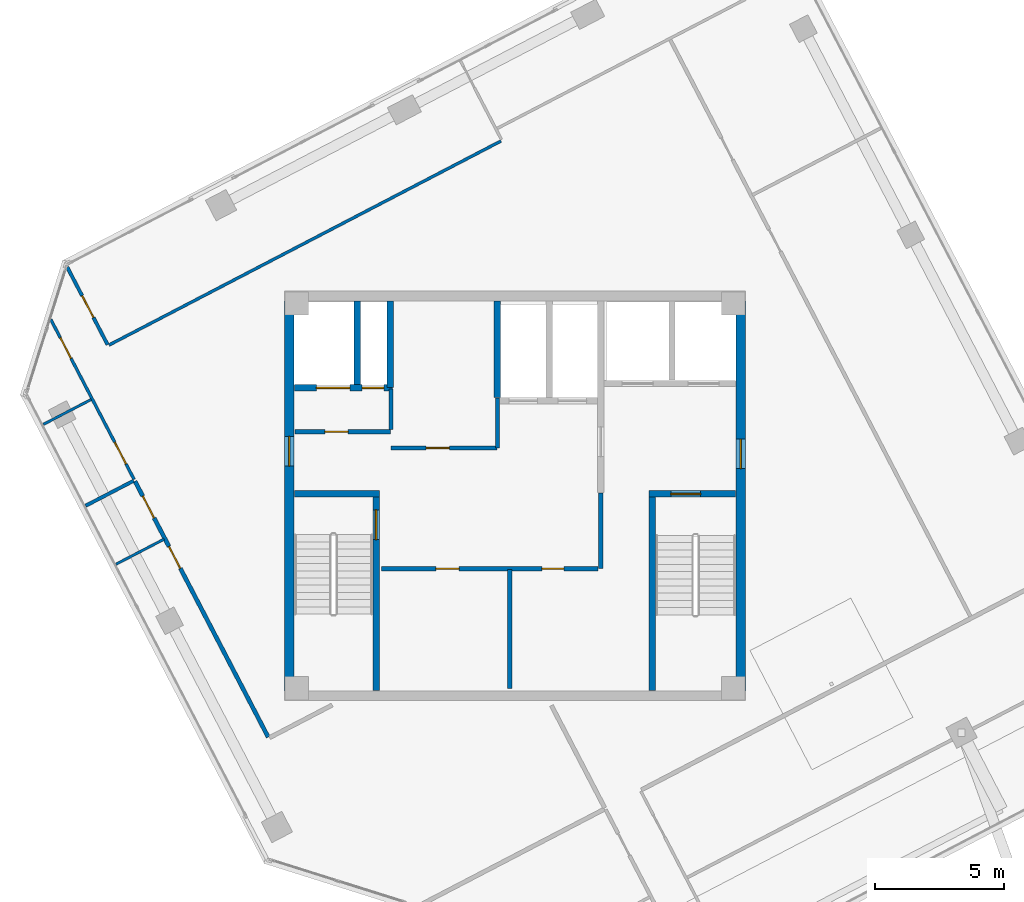
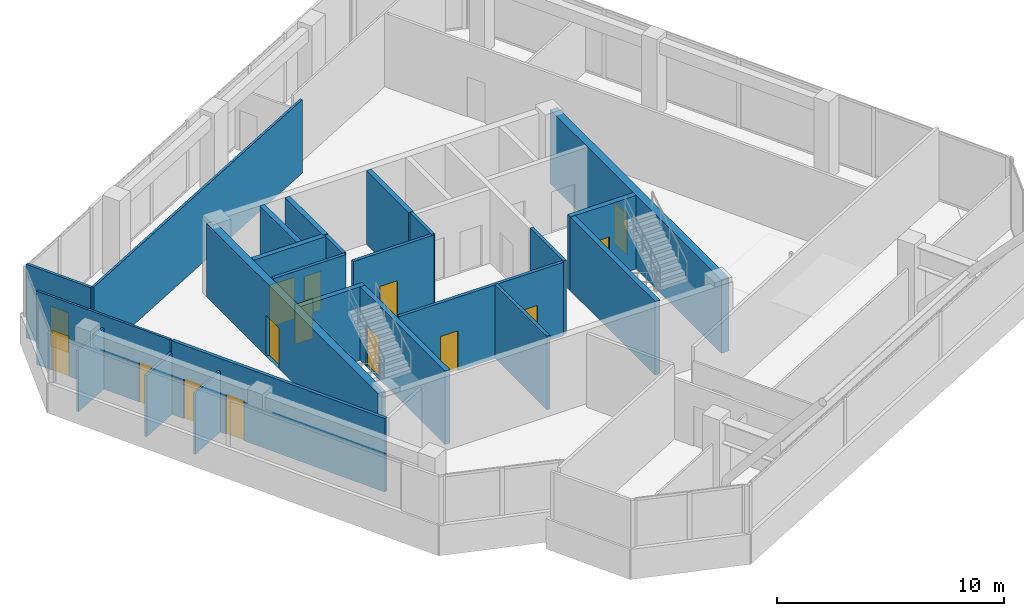
# One storey, part 12 of 17: 24 walls, 15 doors, 15 openings.
"""IFC4 building model written with IfcOpenShell, lengths in metres."""

from ifc_helpers import new_model, si_unit, direction, frame, frame_2d, origin, place, context, subcontext, project, spatial, rectangle, extrude, source, transform, mapped, material, layer, layer_set, type_object, element, fill, save


model = new_model("IFC4")

# Units and contexts
model_context = context("Model", 3, precision=1e-05, world=origin(), true_north=direction((0.0, 1.0)))
body_context = subcontext(model_context, "Body", "Model", "MODEL_VIEW")
ifc_project = project(units=[si_unit("LENGTHUNIT", "METRE"), si_unit("AREAUNIT", "SQUARE_METRE"), si_unit("VOLUMEUNIT", "CUBIC_METRE"), si_unit("PLANEANGLEUNIT", "RADIAN"), si_unit("MASSUNIT", "GRAM", prefix="KILO")], contexts=[model_context])

# Site, building, storey
site_placement = place(None, origin())
site = spatial("IfcSite", under=ifc_project, at=site_placement, CompositionType="ELEMENT")
building_placement = place(site_placement, origin())
building = spatial("IfcBuilding", under=site, at=building_placement, Name="Torre Montelarca", CompositionType="ELEMENT")
storey_placement = place(building_placement, frame((0.0, 0.0, 332.39990234375)))
storey = spatial("IfcBuildingStorey", under=building, at=storey_placement, Name="L75", CompositionType="ELEMENT", Elevation=332.39990234375)

# Wall, opening, door
ifc_material_1 = material(Name="Concrete C40/50", Category="concrete")
ifc_layer_1 = layer(ifc_material_1, 0.25, Name="Concrete C40/50", Category="concrete")
ifc_layer_set_1 = layer_set([ifc_layer_1], Name="Concrete C40/50")
wall_type_1 = type_object("IfcWallType", Name="CW-SHAFT-250", PredefinedType="SHEAR", material=ifc_layer_set_1)
wall_1_placement = place(storey_placement, frame((12.625, 24.4599609375, 0.0), z_axis=(0.0, 0.0, 1.0), x_axis=(0.0, 1.0, 0.0)))
wall_1 = element("IfcWall", 1, at=wall_1_placement, inside=storey, type_object=wall_type_1, Name="L75 Core Shear Wall SH-ST1-E", PredefinedType="SHEAR", context=body_context, shape_type="SweptSolid", body=[
    extrude(rectangle(XDim=7.489990234375, YDim=0.25, at=frame_2d((3.7451171875, 0.0))), origin(), (0.0, 0.0, 1.0), 3.960205078125),
])
opening_1_placement = place(wall_1_placement, frame((5.85009765625, 0.0, 0.0)))
opening_1 = element("IfcOpeningElement", 2, at=opening_1_placement, cuts=wall_1, Name="Opening FD-ST1", PredefinedType="OPENING", context=body_context, shape_type="SweptSolid", body=[
    extrude(rectangle(XDim=1.14990234375, YDim=2.199951171875, at=frame_2d((0.574951171875, 1.10009765625))), frame((0.0, 0.135009765625, 0.0), z_axis=(0.0, -1.0, 0.0), x_axis=(1.0, 0.0, 0.0)), (0.0, 0.0, 1.0), 0.27001953125),
])
ifc_material_2 = material(Name="Galvanized steel fire door", Category="steel")
door_type_1 = type_object("IfcDoorType", Name="DR-STAIR-115", OperationType="NOTDEFINED", PredefinedType="DOOR", material=ifc_material_2)
shared_shape_1 = source(origin(), body_context, "Body", "SweptSolid", [
    extrude(rectangle(XDim=1.14990234375, YDim=2.199951171875, at=frame_2d((0.574951171875, 1.10009765625))), frame((0.0, 0.02490234375, 0.0), z_axis=(0.0, -1.0, 0.0), x_axis=(1.0, 0.0, 0.0)), (0.0, 0.0, 1.0), 0.050048828125),
])
door_1_placement = place(opening_1_placement, origin())
door_1 = element("IfcDoor", 3, at=door_1_placement, inside=storey, type_object=door_type_1, Name="L75 Exit Stair ST1 Fire Door", OperationType="SINGLE_SWING_RIGHT", OverallHeight=2.199951171875, OverallWidth=1.14990234375, PredefinedType="DOOR", context=body_context, shape_type="MappedRepresentation", body=[
    mapped(shared_shape_1, transform((0.0, 0.0, 0.0), scale=1.0)),
])
fill(opening_1, door_1)

# Walls
wall_2_placement = place(storey_placement, frame((9.4599609375, 32.074951171875, 0.0), z_axis=(0.0, 0.0, 1.0), x_axis=(1.0, 0.0, 0.0)))
element("IfcWall", 4, at=wall_2_placement, inside=storey, type_object=wall_type_1, Name="L75 Core Shear Wall SH-ST1-N", PredefinedType="SHEAR", context=body_context, shape_type="SweptSolid", body=[
    extrude(rectangle(XDim=3.2900390625, YDim=0.25, at=frame_2d((1.64501953125, 0.0))), origin(), (0.0, 0.0, 1.0), 3.960205078125),
])
wall_3_placement = place(storey_placement, frame((23.31494140625, 24.4599609375, 0.0), z_axis=(0.0, 0.0, 1.0), x_axis=(0.0, 1.0, 0.0)))
element("IfcWall", 5, at=wall_3_placement, inside=storey, type_object=wall_type_1, Name="L75 Core Shear Wall SH-ST2-W", PredefinedType="SHEAR", context=body_context, shape_type="SweptSolid", body=[
    extrude(rectangle(XDim=7.489990234375, YDim=0.25, at=frame_2d((3.7451171875, 0.0))), origin(), (0.0, 0.0, 1.0), 3.960205078125),
])

# Wall, opening, door
wall_4_placement = place(storey_placement, frame((23.18994140625, 32.074951171875, 0.0), z_axis=(0.0, 0.0, 1.0), x_axis=(1.0, 0.0, 0.0)))
wall_4 = element("IfcWall", 6, at=wall_4_placement, inside=storey, type_object=wall_type_1, Name="L75 Core Shear Wall SH-ST2-N", PredefinedType="SHEAR", context=body_context, shape_type="SweptSolid", body=[
    extrude(rectangle(XDim=3.35009765625, YDim=0.25, at=frame_2d((1.675048828125, 0.0))), origin(), (0.0, 0.0, 1.0), 3.960205078125),
])
opening_2_placement = place(wall_4_placement, frame((0.85009765625, 0.0, 0.0)))
opening_2 = element("IfcOpeningElement", 7, at=opening_2_placement, cuts=wall_4, Name="Opening FD-ST1", PredefinedType="OPENING", context=body_context, shape_type="SweptSolid", body=[
    extrude(rectangle(XDim=1.14990234375, YDim=2.199951171875, at=frame_2d((0.574951171875, 1.10009765625))), frame((0.0, 0.135009765625, 0.0), z_axis=(0.0, -1.0, 0.0), x_axis=(1.0, 0.0, 0.0)), (0.0, 0.0, 1.0), 0.27001953125),
])
door_2_placement = place(opening_2_placement, origin())
door_2 = element("IfcDoor", 8, at=door_2_placement, inside=storey, type_object=door_type_1, Name="L75 Exit Stair ST2 Fire Door", OperationType="SINGLE_SWING_RIGHT", OverallHeight=2.199951171875, OverallWidth=1.14990234375, PredefinedType="DOOR", context=body_context, shape_type="MappedRepresentation", body=[
    mapped(shared_shape_1, transform((0.0, 0.0, 0.0), scale=1.0)),
])
fill(opening_2, door_2)

# Wall, openings, doors
wall_5_placement = place(storey_placement, frame((9.4599609375, 36.179931640625, 0.0), z_axis=(0.0, 0.0, 1.0), x_axis=(1.0, 0.0, 0.0)))
wall_5 = element("IfcWall", 9, at=wall_5_placement, inside=storey, type_object=wall_type_1, Name="L75 Core Shear Wall SH-SV1-S", PredefinedType="SHEAR", context=body_context, shape_type="SweptSolid", body=[
    extrude(rectangle(XDim=3.7900390625, YDim=0.25, at=frame_2d((1.89501953125, 0.0))), origin(), (0.0, 0.0, 1.0), 3.960205078125),
])
opening_3_placement = place(wall_5_placement, frame((2.6201171875, 0.0, 0.0)))
opening_3 = element("IfcOpeningElement", 10, at=opening_3_placement, cuts=wall_5, Name="Opening FD-085", PredefinedType="OPENING", context=body_context, shape_type="SweptSolid", body=[
    extrude(rectangle(XDim=0.85009765625, YDim=2.10009765625, at=frame_2d((0.425048828125, 1.050048828125))), frame((0.0, 0.135009765625, 0.0), z_axis=(0.0, -1.0, 0.0), x_axis=(1.0, 0.0, 0.0)), (0.0, 0.0, 1.0), 0.27001953125),
])
opening_4_placement = place(wall_5_placement, frame((0.85009765625, 0.0, 0.0)))
opening_4 = element("IfcOpeningElement", 11, at=opening_4_placement, cuts=wall_5, Name="Opening LD-130", PredefinedType="OPENING", context=body_context, shape_type="SweptSolid", body=[
    extrude(rectangle(XDim=1.300048828125, YDim=2.25, at=frame_2d((0.64990234375, 1.125))), frame((0.0, 0.135009765625, 0.0), z_axis=(0.0, -1.0, 0.0), x_axis=(1.0, 0.0, 0.0)), (0.0, 0.0, 1.0), 0.27001953125),
])
ifc_material_3 = material(Name="Steel riser access fire door", Category="steel")
door_type_2 = type_object("IfcDoorType", Name="DR-RISER-085", OperationType="NOTDEFINED", PredefinedType="DOOR", material=ifc_material_3)
shared_shape_2 = source(origin(), body_context, "Body", "SweptSolid", [
    extrude(rectangle(XDim=0.85009765625, YDim=2.10009765625, at=frame_2d((0.425048828125, 1.050048828125))), frame((0.0, 0.02490234375, 0.0), z_axis=(0.0, -1.0, 0.0), x_axis=(1.0, 0.0, 0.0)), (0.0, 0.0, 1.0), 0.050048828125),
])
door_3_placement = place(opening_3_placement, origin())
door_3 = element("IfcDoor", 12, at=door_3_placement, inside=storey, type_object=door_type_2, Name="L75 Electrical Riser Shaft Access Door", OperationType="SINGLE_SWING_RIGHT", OverallHeight=2.10009765625, OverallWidth=0.85009765625, PredefinedType="DOOR", context=body_context, shape_type="MappedRepresentation", body=[
    mapped(shared_shape_2, transform((0.0, 0.0, 0.0), scale=1.0)),
])
fill(opening_3, door_3)
ifc_material_4 = material(Name="Brushed stainless steel AISI 316", Category="steel")
door_type_3 = type_object("IfcDoorType", Name="DR-LIFT-130", OperationType="SLIDING_TO_LEFT", PredefinedType="DOOR", material=ifc_material_4)
shared_shape_3 = source(origin(), body_context, "Body", "SweptSolid", [
    extrude(rectangle(XDim=1.300048828125, YDim=2.25, at=frame_2d((0.64990234375, 1.125))), frame((0.0, 0.02490234375, 0.0), z_axis=(0.0, -1.0, 0.0), x_axis=(1.0, 0.0, 0.0)), (0.0, 0.0, 1.0), 0.050048828125),
])
door_4_placement = place(opening_4_placement, origin())
door_4 = element("IfcDoor", 13, at=door_4_placement, inside=storey, type_object=door_type_3, Name="L75 Lift Landing Sliding Door SV-1", OperationType="SLIDING_TO_LEFT", OverallHeight=2.25, OverallWidth=1.300048828125, PredefinedType="DOOR", context=body_context, shape_type="MappedRepresentation", body=[
    mapped(shared_shape_3, transform((0.0, 0.0, 0.0), scale=1.0)),
])
fill(opening_4, door_4)

# Walls
wall_6_placement = place(storey_placement, frame((11.89990234375, 36.31005859375, 0.0), z_axis=(0.0, 0.0, 1.0), x_axis=(0.0, 1.0, 0.0)))
element("IfcWall", 14, at=wall_6_placement, inside=storey, type_object=wall_type_1, Name="L75 Core Shear Wall SH-SV1-E", PredefinedType="SHEAR", context=body_context, shape_type="SweptSolid", body=[
    extrude(rectangle(XDim=3.22998046875, YDim=0.25, at=frame_2d((1.614990234375, 0.0))), origin(), (0.0, 0.0, 1.0), 3.960205078125),
])
wall_7_placement = place(storey_placement, frame((13.179931640625, 36.199951171875, 0.0), z_axis=(0.0, 0.0, 1.0), x_axis=(0.0, 1.0, 0.0)))
element("IfcWall", 15, at=wall_7_placement, inside=storey, type_object=wall_type_1, Name="L75 Core Shear Wall SH-RSR1-E", PredefinedType="SHEAR", context=body_context, shape_type="SweptSolid", body=[
    extrude(rectangle(XDim=3.340087890625, YDim=0.25, at=frame_2d((1.669921875, 0.0))), origin(), (0.0, 0.0, 1.0), 3.960205078125),
])
wall_8_placement = place(storey_placement, frame((17.320068359375, 35.81005859375, 0.0), z_axis=(0.0, 0.0, 1.0), x_axis=(0.0, 1.0, 0.0)))
element("IfcWall", 16, at=wall_8_placement, inside=storey, type_object=wall_type_1, Name="L75 Core Shear Wall SH-PLH-W", PredefinedType="SHEAR", context=body_context, shape_type="SweptSolid", body=[
    extrude(rectangle(XDim=3.72998046875, YDim=0.25, at=frame_2d((1.864990234375, 0.0))), origin(), (0.0, 0.0, 1.0), 3.960205078125),
])

# Wall, opening, door
ifc_layer_2 = layer(ifc_material_1, 0.3798828125, Name="Concrete C40/50", Category="concrete")
ifc_layer_set_2 = layer_set([ifc_layer_2], Name="Concrete C40/50")
wall_type_2 = type_object("IfcWallType", Name="CW-SHEAR-380", PredefinedType="SHEAR", material=ifc_layer_set_2)
wall_9_placement = place(storey_placement, frame((9.260009765625, 24.449951171875, 0.0), z_axis=(0.0, 0.0, 1.0), x_axis=(0.0, 1.0, 0.0)))
wall_9 = element("IfcWall", 17, at=wall_9_placement, inside=storey, type_object=wall_type_2, Name="L75 Core Shear Wall CW-W", PredefinedType="SHEAR", context=body_context, shape_type="SweptSolid", body=[
    extrude(rectangle(XDim=15.10009765625, YDim=0.3798828125, at=frame_2d((7.550048828125, 0.0))), origin(), (0.0, 0.0, 1.0), 3.960205078125),
])
opening_5_placement = place(wall_9_placement, frame((8.699951171875, 0.0, 0.0)))
opening_5 = element("IfcOpeningElement", 18, at=opening_5_placement, cuts=wall_9, Name="Opening FD-LB1", PredefinedType="OPENING", context=body_context, shape_type="SweptSolid", body=[
    extrude(rectangle(XDim=1.14990234375, YDim=2.199951171875, at=frame_2d((0.574951171875, 1.10009765625))), frame((0.0, 0.199951171875, 0.0), z_axis=(0.0, -1.0, 0.0), x_axis=(1.0, 0.0, 0.0)), (0.0, 0.0, 1.0), 0.39990234375),
])
ifc_material_5 = material(Name="Acoustic timber-veneered fire door", Category="wood")
door_type_4 = type_object("IfcDoorType", Name="DR-LOBBY-115", OperationType="NOTDEFINED", PredefinedType="DOOR", material=ifc_material_5)
shared_shape_4 = source(origin(), body_context, "Body", "SweptSolid", [
    extrude(rectangle(XDim=1.14990234375, YDim=2.199951171875, at=frame_2d((0.574951171875, 1.10009765625))), frame((0.0, 0.02490234375, 0.0), z_axis=(0.0, -1.0, 0.0), x_axis=(1.0, 0.0, 0.0)), (0.0, 0.0, 1.0), 0.050048828125),
])
door_5_placement = place(opening_5_placement, origin())
door_5 = element("IfcDoor", 19, at=door_5_placement, inside=storey, type_object=door_type_4, Name="L75 Passenger Lift Lobby West Corridor Fire Door", OperationType="SINGLE_SWING_RIGHT", OverallHeight=2.199951171875, OverallWidth=1.14990234375, PredefinedType="DOOR", context=body_context, shape_type="MappedRepresentation", body=[
    mapped(shared_shape_4, transform((0.0, 0.0, 0.0), scale=1.0)),
])
fill(opening_5, door_5)

wall_10_placement = place(storey_placement, frame((26.739990234375, 24.449951171875, 0.0), z_axis=(0.0, 0.0, 1.0), x_axis=(0.0, 1.0, 0.0)))
wall_10 = element("IfcWall", 20, at=wall_10_placement, inside=storey, type_object=wall_type_2, Name="L75 Core Shear Wall CW-E", PredefinedType="SHEAR", context=body_context, shape_type="SweptSolid", body=[
    extrude(rectangle(XDim=15.10009765625, YDim=0.3798828125, at=frame_2d((7.550048828125, 0.0))), origin(), (0.0, 0.0, 1.0), 3.960205078125),
])
opening_6_placement = place(wall_10_placement, frame((8.60009765625, 0.0, 0.0)))
opening_6 = element("IfcOpeningElement", 21, at=opening_6_placement, cuts=wall_10, Name="Opening FD-LB1", PredefinedType="OPENING", context=body_context, shape_type="SweptSolid", body=[
    extrude(rectangle(XDim=1.14990234375, YDim=2.199951171875, at=frame_2d((0.574951171875, 1.10009765625))), frame((0.0, 0.199951171875, 0.0), z_axis=(0.0, -1.0, 0.0), x_axis=(1.0, 0.0, 0.0)), (0.0, 0.0, 1.0), 0.39990234375),
])
door_6_placement = place(opening_6_placement, origin())
door_6 = element("IfcDoor", 22, at=door_6_placement, inside=storey, type_object=door_type_4, Name="L75 Firefighting Lift Lobby Corridor Fire Door", OperationType="SINGLE_SWING_RIGHT", OverallHeight=2.199951171875, OverallWidth=1.14990234375, PredefinedType="DOOR", context=body_context, shape_type="MappedRepresentation", body=[
    mapped(shared_shape_4, transform((0.0, 0.0, 0.0), scale=1.0)),
])
fill(opening_6, door_6)

ifc_material_6 = material(Name="Gypsum plasterboard on steel stud", Category="steel")
ifc_layer_3 = layer(ifc_material_6, 0.159912109375, Name="Gypsum plasterboard on steel stud", Category="steel")
ifc_layer_set_3 = layer_set([ifc_layer_3], Name="Gypsum plasterboard on steel stud")
wall_type_3 = type_object("IfcWallType", Name="PW-FIRE-160", PredefinedType="PARTITIONING", material=ifc_layer_set_3)
wall_11_placement = place(storey_placement, frame((9.489990234375, 34.47998046875, 0.0), z_axis=(0.0, 0.0, 1.0), x_axis=(1.0, 0.0, 0.0)))
wall_11 = element("IfcWall", 23, at=wall_11_placement, inside=storey, type_object=wall_type_3, Name="L75 Interior Partition CW-L75-SVS", PredefinedType="PARTITIONING", context=body_context, shape_type="SweptSolid", body=[
    extrude(rectangle(XDim=3.699951171875, YDim=0.159912109375, at=frame_2d((1.85009765625, 0.0))), origin(), (0.0, 0.0, 1.0), 3.960205078125),
])
opening_7_placement = place(wall_11_placement, frame((1.14990234375, 0.0, 0.0)))
opening_7 = element("IfcOpeningElement", 24, at=opening_7_placement, cuts=wall_11, Name="Opening FD-090", PredefinedType="OPENING", context=body_context, shape_type="SweptSolid", body=[
    extrude(rectangle(XDim=0.89990234375, YDim=2.14990234375, at=frame_2d((0.449951171875, 1.074951171875))), frame((0.0, 0.08984375, 0.0), z_axis=(0.0, -1.0, 0.0), x_axis=(1.0, 0.0, 0.0)), (0.0, 0.0, 1.0), 0.179931640625),
])
ifc_material_7 = material(Name="Steel service fire door", Category="steel")
door_type_5 = type_object("IfcDoorType", Name="DR-FIRE-090", OperationType="NOTDEFINED", PredefinedType="DOOR", material=ifc_material_7)
shared_shape_5 = source(origin(), body_context, "Body", "SweptSolid", [
    extrude(rectangle(XDim=0.89990234375, YDim=2.14990234375, at=frame_2d((0.449951171875, 1.074951171875))), frame((0.0, 0.02490234375, 0.0), z_axis=(0.0, -1.0, 0.0), x_axis=(1.0, 0.0, 0.0)), (0.0, 0.0, 1.0), 0.050048828125),
])
door_7_placement = place(opening_7_placement, origin())
door_7 = element("IfcDoor", 25, at=door_7_placement, inside=storey, type_object=door_type_5, Name="L75 Interior Door 01", OperationType="SINGLE_SWING_RIGHT", OverallHeight=2.14990234375, OverallWidth=0.89990234375, PredefinedType="DOOR", context=body_context, shape_type="MappedRepresentation", body=[
    mapped(shared_shape_5, transform((0.0, 0.0, 0.0), scale=1.0)),
])
fill(opening_7, door_7)

# Wall
wall_12_placement = place(storey_placement, frame((13.199951171875, 34.570068359375, 0.0), z_axis=(0.0, 0.0, 1.0), x_axis=(0.0, 1.0, 0.0)))
element("IfcWall", 26, at=wall_12_placement, inside=storey, type_object=wall_type_3, Name="L75 Interior Partition CW-L75-SVE", PredefinedType="PARTITIONING", context=body_context, shape_type="SweptSolid", body=[
    extrude(rectangle(XDim=1.56982421875, YDim=0.159912109375, at=frame_2d((0.784912109375, 0.0))), origin(), (0.0, 0.0, 1.0), 3.960205078125),
])

# Wall, opening, door
wall_13_placement = place(storey_placement, frame((13.2099609375, 33.85009765625, 0.0), z_axis=(0.0, 0.0, 1.0), x_axis=(1.0, 0.0, 0.0)))
wall_13 = element("IfcWall", 27, at=wall_13_placement, inside=storey, type_object=wall_type_3, Name="L75 Interior Partition CW-L75-FRMS", PredefinedType="PARTITIONING", context=body_context, shape_type="SweptSolid", body=[
    extrude(rectangle(XDim=4.10009765625, YDim=0.159912109375, at=frame_2d((2.050048828125, 0.0))), origin(), (0.0, 0.0, 1.0), 3.960205078125),
])
opening_8_placement = place(wall_13_placement, frame((1.35009765625, 0.0, 0.0)))
opening_8 = element("IfcOpeningElement", 28, at=opening_8_placement, cuts=wall_13, Name="Opening FD-090", PredefinedType="OPENING", context=body_context, shape_type="SweptSolid", body=[
    extrude(rectangle(XDim=0.89990234375, YDim=2.14990234375, at=frame_2d((0.449951171875, 1.074951171875))), frame((0.0, 0.08984375, 0.0), z_axis=(0.0, -1.0, 0.0), x_axis=(1.0, 0.0, 0.0)), (0.0, 0.0, 1.0), 0.179931640625),
])
door_8_placement = place(opening_8_placement, origin())
door_8 = element("IfcDoor", 29, at=door_8_placement, inside=storey, type_object=door_type_5, Name="L75 Interior Door 02", OperationType="SINGLE_SWING_LEFT", OverallHeight=2.14990234375, OverallWidth=0.89990234375, PredefinedType="DOOR", context=body_context, shape_type="MappedRepresentation", body=[
    mapped(shared_shape_5, transform((0.0, 0.0, 0.0), scale=1.0)),
])
fill(opening_8, door_8)

# Wall
wall_14_placement = place(storey_placement, frame((17.320068359375, 33.860107421875, 0.0), z_axis=(0.0, 0.0, 1.0), x_axis=(0.0, 1.0, 0.0)))
element("IfcWall", 30, at=wall_14_placement, inside=storey, type_object=wall_type_3, Name="L75 Interior Partition CW-L75-FRME", PredefinedType="PARTITIONING", context=body_context, shape_type="SweptSolid", body=[
    extrude(rectangle(XDim=1.929931640625, YDim=0.159912109375, at=frame_2d((0.96484375, 0.0))), origin(), (0.0, 0.0, 1.0), 3.960205078125),
])

# Wall, openings, doors
wall_15_placement = place(storey_placement, frame((12.840087890625, 29.179931640625, 0.0), z_axis=(0.0, 0.0, 1.0), x_axis=(1.0, 0.0, 0.0)))
wall_15 = element("IfcWall", 31, at=wall_15_placement, inside=storey, type_object=wall_type_3, Name="L75 Interior Partition CW-L75-FRDN", PredefinedType="PARTITIONING", context=body_context, shape_type="SweptSolid", body=[
    extrude(rectangle(XDim=8.369873046875, YDim=0.159912109375, at=frame_2d((4.18505859375, 0.0))), origin(), (0.0, 0.0, 1.0), 3.960205078125),
])
opening_9_placement = place(wall_15_placement, frame((2.10009765625, 0.0, 0.0)))
opening_9 = element("IfcOpeningElement", 32, at=opening_9_placement, cuts=wall_15, Name="Opening FD-090", PredefinedType="OPENING", context=body_context, shape_type="SweptSolid", body=[
    extrude(rectangle(XDim=0.89990234375, YDim=2.14990234375, at=frame_2d((0.449951171875, 1.074951171875))), frame((0.0, 0.08984375, 0.0), z_axis=(0.0, -1.0, 0.0), x_axis=(1.0, 0.0, 0.0)), (0.0, 0.0, 1.0), 0.179931640625),
])
opening_10_placement = place(wall_15_placement, frame((6.199951171875, 0.0, 0.0)))
opening_10 = element("IfcOpeningElement", 33, at=opening_10_placement, cuts=wall_15, Name="Opening FD-085", PredefinedType="OPENING", context=body_context, shape_type="SweptSolid", body=[
    extrude(rectangle(XDim=0.85009765625, YDim=2.10009765625, at=frame_2d((0.425048828125, 1.050048828125))), frame((0.0, 0.08984375, 0.0), z_axis=(0.0, -1.0, 0.0), x_axis=(1.0, 0.0, 0.0)), (0.0, 0.0, 1.0), 0.179931640625),
])
door_9_placement = place(opening_10_placement, origin())
door_9 = element("IfcDoor", 34, at=door_9_placement, inside=storey, type_object=door_type_2, Name="L75 Interior Door 04", OperationType="SINGLE_SWING_LEFT", OverallHeight=2.10009765625, OverallWidth=0.85009765625, PredefinedType="DOOR", context=body_context, shape_type="MappedRepresentation", body=[
    mapped(shared_shape_2, transform((0.0, 0.0, 0.0), scale=1.0)),
])
fill(opening_10, door_9)
door_10_placement = place(opening_9_placement, origin())
door_10 = element("IfcDoor", 35, at=door_10_placement, inside=storey, type_object=door_type_5, Name="L75 Interior Door 03", OperationType="SINGLE_SWING_RIGHT", OverallHeight=2.14990234375, OverallWidth=0.89990234375, PredefinedType="DOOR", context=body_context, shape_type="MappedRepresentation", body=[
    mapped(shared_shape_5, transform((0.0, 0.0, 0.0), scale=1.0)),
])
fill(opening_9, door_10)

# Walls
wall_16_placement = place(storey_placement, frame((17.800048828125, 24.5400390625, 0.0), z_axis=(0.0, 0.0, 1.0), x_axis=(0.0, 1.0, 0.0)))
element("IfcWall", 36, at=wall_16_placement, inside=storey, type_object=wall_type_3, Name="L75 Interior Partition CW-L75-FRD1", PredefinedType="PARTITIONING", context=body_context, shape_type="SweptSolid", body=[
    extrude(rectangle(XDim=4.599853515625, YDim=0.159912109375, at=frame_2d((2.2998046875, 0.0))), origin(), (0.0, 0.0, 1.0), 3.960205078125),
])
wall_17_placement = place(storey_placement, frame((21.320068359375, 29.18994140625, 0.0), z_axis=(0.0, 0.0, 1.0), x_axis=(0.0, 1.0, 0.0)))
element("IfcWall", 37, at=wall_17_placement, inside=storey, type_object=wall_type_3, Name="L75 Interior Partition CW-L75-FRE", PredefinedType="PARTITIONING", context=body_context, shape_type="SweptSolid", body=[
    extrude(rectangle(XDim=2.920166015625, YDim=0.159912109375, at=frame_2d((1.4599609375, 0.0))), origin(), (0.0, 0.0, 1.0), 3.960205078125),
])

# Wall, openings, doors
wall_18_placement = place(storey_placement, frame((3.291259765625, 32.566162109375, 0.0), z_axis=(0.0, 0.0, 1.0), x_axis=(0.461745644878, -0.887012378401, 0.0)))
wall_18 = element("IfcWall", 38, at=wall_18_placement, inside=storey, type_object=wall_type_3, Name="L75 Interior Partition W-L75-SOCCN", PredefinedType="PARTITIONING", context=body_context, shape_type="SweptSolid", body=[
    extrude(rectangle(XDim=11.169921875, YDim=0.159912109375, at=frame_2d((5.5849609375, 0.0))), origin(), (0.0, 0.0, 1.0), 3.960205078125),
])
opening_11_placement = place(wall_18_placement, frame((0.64990234375, 0.0, 0.0)))
opening_11 = element("IfcOpeningElement", 39, at=opening_11_placement, cuts=wall_18, Name="Opening FD-095", PredefinedType="OPENING", context=body_context, shape_type="SweptSolid", body=[
    extrude(rectangle(XDim=0.949951171875, YDim=2.14990234375, at=frame_2d((0.47509765625, 1.074951171875))), frame((0.0, 0.08984375, 0.0), z_axis=(0.0, -1.0, 0.0), x_axis=(1.0, 0.0, 0.0)), (0.0, 0.0, 1.0), 0.179931640625),
])
opening_12_placement = place(wall_18_placement, frame((2.85009765625, 0.0, 0.0)))
opening_12 = element("IfcOpeningElement", 40, at=opening_12_placement, cuts=wall_18, Name="Opening FD-095", PredefinedType="OPENING", context=body_context, shape_type="SweptSolid", body=[
    extrude(rectangle(XDim=0.949951171875, YDim=2.14990234375, at=frame_2d((0.47509765625, 1.074951171875))), frame((0.0, 0.08984375, 0.0), z_axis=(0.0, -1.0, 0.0), x_axis=(1.0, 0.0, 0.0)), (0.0, 0.0, 1.0), 0.179931640625),
])
ifc_material_8 = material(Name="Timber fire-rated room door", Category="wood")
door_type_6 = type_object("IfcDoorType", Name="DR-FIRE-095", OperationType="NOTDEFINED", PredefinedType="DOOR", material=ifc_material_8)
shared_shape_6 = source(origin(), body_context, "Body", "SweptSolid", [
    extrude(rectangle(XDim=0.949951171875, YDim=2.14990234375, at=frame_2d((0.47509765625, 1.074951171875))), frame((0.0, 0.02490234375, 0.0), z_axis=(0.0, -1.0, 0.0), x_axis=(1.0, 0.0, 0.0)), (0.0, 0.0, 1.0), 0.050048828125),
])
door_11_placement = place(opening_11_placement, origin())
door_11 = element("IfcDoor", 41, at=door_11_placement, inside=storey, type_object=door_type_6, Name="L75 Interior Door 07", OperationType="SINGLE_SWING_RIGHT", OverallHeight=2.14990234375, OverallWidth=0.949951171875, PredefinedType="DOOR", context=body_context, shape_type="MappedRepresentation", body=[
    mapped(shared_shape_6, transform((0.0, 0.0, 0.0), scale=1.0)),
])
fill(opening_11, door_11)
door_12_placement = place(opening_12_placement, origin())
door_12 = element("IfcDoor", 42, at=door_12_placement, inside=storey, type_object=door_type_6, Name="L75 Interior Door 08", OperationType="SINGLE_SWING_LEFT", OverallHeight=2.14990234375, OverallWidth=0.949951171875, PredefinedType="DOOR", context=body_context, shape_type="MappedRepresentation", body=[
    mapped(shared_shape_6, transform((0.0, 0.0, 0.0), scale=1.0)),
])
fill(opening_12, door_12)

# Walls
ifc_material_9 = material(Name="Acoustic laminated glass partition", Category="glass")
ifc_layer_4 = layer(ifc_material_9, 0.10009765625, Name="Acoustic laminated glass partition", Category="glass")
ifc_layer_set_4 = layer_set([ifc_layer_4], Name="Acoustic laminated glass partition")
wall_type_4 = type_object("IfcWallType", Name="PW-GLAZ-100", PredefinedType="PARTITIONING", material=ifc_layer_set_4)
wall_19_placement = place(storey_placement, frame((-0.255859375, 34.76708984375, 0.0), z_axis=(0.0, 0.0, 1.0), x_axis=(0.887042679543, 0.461687431786, 0.0)))
element("IfcWall", 43, at=wall_19_placement, inside=storey, type_object=wall_type_4, Name="L75 Interior Partition W-L75-WCD", PredefinedType="PARTITIONING", context=body_context, shape_type="SweptSolid", body=[
    extrude(rectangle(XDim=2.08984375, YDim=0.10009765625, at=frame_2d((1.044921875, 0.0))), origin(), (0.0, 0.0, 1.0), 3.295166015625),
])
wall_20_placement = place(storey_placement, frame((2.560791015625, 29.356201171875, 0.0), z_axis=(0.0, 0.0, 1.0), x_axis=(0.887019740079, 0.461731502835, 0.0)))
element("IfcWall", 44, at=wall_20_placement, inside=storey, type_object=wall_type_4, Name="L75 Interior Partition W-L75-SWDIV74", PredefinedType="PARTITIONING", context=body_context, shape_type="SweptSolid", body=[
    extrude(rectangle(XDim=2.090087890625, YDim=0.10009765625, at=frame_2d((1.044921875, 0.0))), origin(), (0.0, 0.0, 1.0), 3.295166015625),
])

# Wall, openings, doors
ifc_layer_5 = layer(ifc_material_6, 0.114990234375, Name="Gypsum plasterboard on steel stud", Category="steel")
ifc_layer_set_5 = layer_set([ifc_layer_5], Name="Gypsum plasterboard on steel stud")
wall_type_5 = type_object("IfcWallType", Name="PW-PART-115", PredefinedType="PARTITIONING", material=ifc_layer_set_5)
wall_21_placement = place(storey_placement, frame((0.030517578125, 38.830078125, 0.0), z_axis=(0.0, 0.0, 1.0), x_axis=(0.461729249278, -0.887020913147, 0.0)))
wall_21 = element("IfcWall", 45, at=wall_21_placement, inside=storey, type_object=wall_type_5, Name="L75 Interior Partition W-L75-WCN", PredefinedType="PARTITIONING", context=body_context, shape_type="SweptSolid", body=[
    extrude(rectangle(XDim=6.981689453125, YDim=0.114990234375, at=frame_2d((3.49072265625, 0.0))), origin(), (0.0, 0.0, 1.0), 3.960205078125),
])
opening_13_placement = place(wall_21_placement, frame((0.800048828125, 0.0, 0.0)))
opening_13 = element("IfcOpeningElement", 46, at=opening_13_placement, cuts=wall_21, Name="Opening ID-090", PredefinedType="OPENING", context=body_context, shape_type="SweptSolid", body=[
    extrude(rectangle(XDim=0.89990234375, YDim=2.14990234375, at=frame_2d((0.449951171875, 1.074951171875))), frame((0.0, 0.0673828125, 0.0), z_axis=(0.0, -1.0, 0.0), x_axis=(1.0, 0.0, 0.0)), (0.0, 0.0, 1.0), 0.135009765625),
])
opening_14_placement = place(wall_21_placement, frame((5.360107421875, 0.0, 0.0)))
opening_14 = element("IfcOpeningElement", 47, at=opening_14_placement, cuts=wall_21, Name="Opening ID-095", PredefinedType="OPENING", context=body_context, shape_type="SweptSolid", body=[
    extrude(rectangle(XDim=0.949951171875, YDim=2.14990234375, at=frame_2d((0.47509765625, 1.074951171875))), frame((0.0, 0.0673828125, 0.0), z_axis=(0.0, -1.0, 0.0), x_axis=(1.0, 0.0, 0.0)), (0.0, 0.0, 1.0), 0.135009765625),
])
ifc_material_10 = material(Name="Hardwood acoustic timber veneer", Category="wood")
door_type_7 = type_object("IfcDoorType", Name="DR-INT-090", OperationType="NOTDEFINED", PredefinedType="DOOR", material=ifc_material_10)
shared_shape_7 = source(origin(), body_context, "Body", "SweptSolid", [
    extrude(rectangle(XDim=0.89990234375, YDim=2.14990234375, at=frame_2d((0.449951171875, 1.074951171875))), frame((0.0, 0.02490234375, 0.0), z_axis=(0.0, -1.0, 0.0), x_axis=(1.0, 0.0, 0.0)), (0.0, 0.0, 1.0), 0.050048828125),
])
door_13_placement = place(opening_13_placement, origin())
door_13 = element("IfcDoor", 48, at=door_13_placement, inside=storey, type_object=door_type_7, Name="L75 Interior Door 05", OperationType="SINGLE_SWING_LEFT", OverallHeight=2.14990234375, OverallWidth=0.89990234375, PredefinedType="DOOR", context=body_context, shape_type="MappedRepresentation", body=[
    mapped(shared_shape_7, transform((0.0, 0.0, 0.0), scale=1.0)),
])
fill(opening_13, door_13)
door_type_8 = type_object("IfcDoorType", Name="DR-INT-095", OperationType="NOTDEFINED", PredefinedType="DOOR", material=ifc_material_10)
shared_shape_8 = source(origin(), body_context, "Body", "SweptSolid", [
    extrude(rectangle(XDim=0.949951171875, YDim=2.14990234375, at=frame_2d((0.47509765625, 1.074951171875))), frame((0.0, 0.02490234375, 0.0), z_axis=(0.0, -1.0, 0.0), x_axis=(1.0, 0.0, 0.0)), (0.0, 0.0, 1.0), 0.050048828125),
])
door_14_placement = place(opening_14_placement, origin())
door_14 = element("IfcDoor", 49, at=door_14_placement, inside=storey, type_object=door_type_8, Name="L75 Interior Door 06", OperationType="SINGLE_SWING_RIGHT", OverallHeight=2.14990234375, OverallWidth=0.949951171875, PredefinedType="DOOR", context=body_context, shape_type="MappedRepresentation", body=[
    mapped(shared_shape_8, transform((0.0, 0.0, 0.0), scale=1.0)),
])
fill(opening_14, door_14)

# Walls
wall_22_placement = place(storey_placement, frame((2.28369140625, 37.83642578125, 0.0), z_axis=(0.0, 0.0, 1.0), x_axis=(0.887016973522, 0.461736817553, 0.0)))
element("IfcWall", 50, at=wall_22_placement, inside=storey, type_object=wall_type_5, Name="L75 Interior Partition W-L75-WPKE", PredefinedType="PARTITIONING", context=body_context, shape_type="SweptSolid", body=[
    extrude(rectangle(XDim=17.110107421875, YDim=0.114990234375, at=frame_2d((8.55517578125, 0.0))), origin(), (0.0, 0.0, 1.0), 3.960205078125),
])
ifc_layer_6 = layer(ifc_material_6, 0.135009765625, Name="Gypsum plasterboard on steel stud", Category="steel")
ifc_layer_set_6 = layer_set([ifc_layer_6], Name="Gypsum plasterboard on steel stud")
wall_type_6 = type_object("IfcWallType", Name="PW-PART-135", PredefinedType="PARTITIONING", material=ifc_layer_set_6)
wall_23_placement = place(storey_placement, frame((1.38330078125, 31.6181640625, 0.0), z_axis=(0.0, 0.0, 1.0), x_axis=(0.887067577271, 0.461639592491, 0.0)))
element("IfcWall", 51, at=wall_23_placement, inside=storey, type_object=wall_type_6, Name="L75 Interior Partition W-L75-SWCDIV", PredefinedType="PARTITIONING", context=body_context, shape_type="SweptSolid", body=[
    extrude(rectangle(XDim=2.090087890625, YDim=0.135009765625, at=frame_2d((1.044921875, 0.0))), origin(), (0.0, 0.0, 1.0), 3.295166015625),
])

# Wall, opening, door
wall_24_placement = place(storey_placement, frame((0.668212890625, 40.853271484375, 0.0), z_axis=(0.0, 0.0, 1.0), x_axis=(0.461736835827, -0.887016964009, 0.0)))
wall_24 = element("IfcWall", 52, at=wall_24_placement, inside=storey, type_object=wall_type_6, Name="L75 Interior Partition W-L75-WPKS", PredefinedType="PARTITIONING", context=body_context, shape_type="SweptSolid", body=[
    extrude(rectangle(XDim=3.3818359375, YDim=0.135009765625, at=frame_2d((1.69091796875, 0.0))), origin(), (0.0, 0.0, 1.0), 3.960205078125),
])
opening_15_placement = place(wall_24_placement, frame((1.25, 0.0, 0.0)))
opening_15 = element("IfcOpeningElement", 53, at=opening_15_placement, cuts=wall_24, Name="Opening ID-095", PredefinedType="OPENING", context=body_context, shape_type="SweptSolid", body=[
    extrude(rectangle(XDim=0.949951171875, YDim=2.14990234375, at=frame_2d((0.47509765625, 1.074951171875))), frame((0.0, 0.07763671875, 0.0), z_axis=(0.0, -1.0, 0.0), x_axis=(1.0, 0.0, 0.0)), (0.0, 0.0, 1.0), 0.155029296875),
])
door_15_placement = place(opening_15_placement, origin())
door_15 = element("IfcDoor", 54, at=door_15_placement, inside=storey, type_object=door_type_8, Name="L75 Interior Door 11", OperationType="SINGLE_SWING_LEFT", OverallHeight=2.14990234375, OverallWidth=0.949951171875, PredefinedType="DOOR", context=body_context, shape_type="MappedRepresentation", body=[
    mapped(shared_shape_8, transform((0.0, 0.0, 0.0), scale=1.0)),
])
fill(opening_15, door_15)

save(model, "model.ifc")
